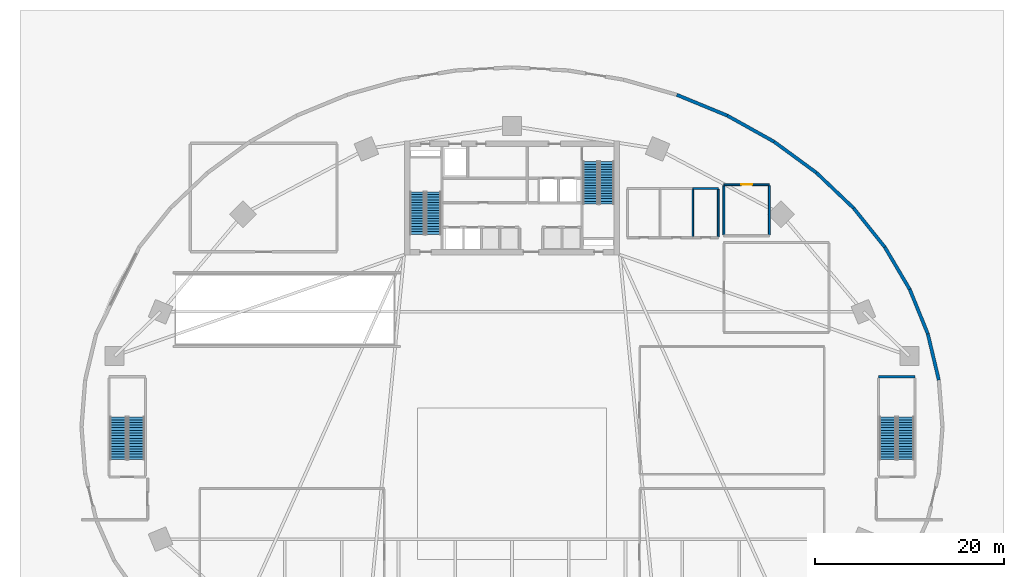
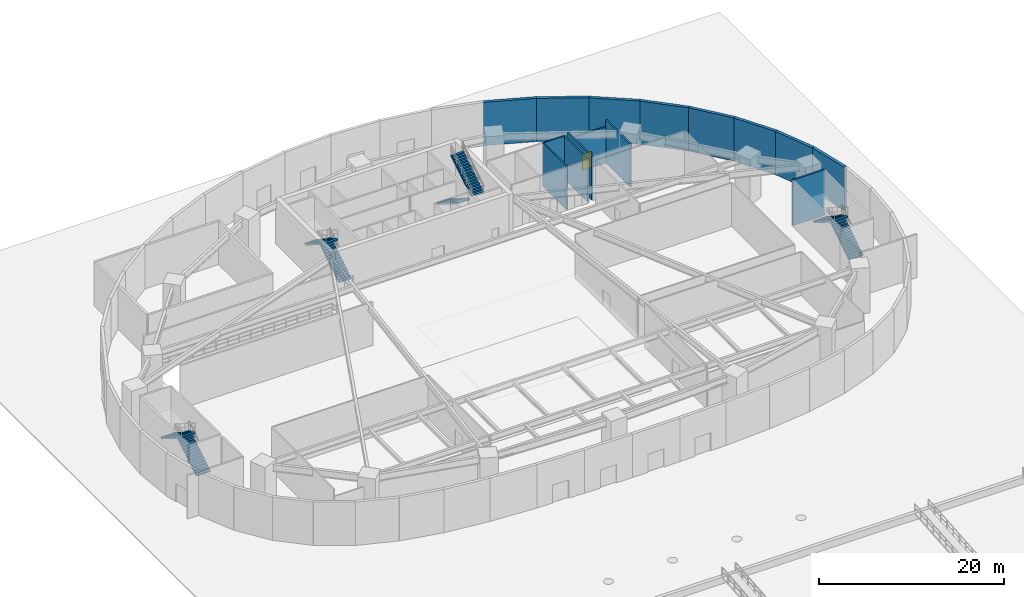
# One storey, part 6 of 14: 15 walls, 8 stair flights, 1 door, 1 opening, 4 elements without a shape of their own.
"""IFC4 building model written with IfcOpenShell, lengths in metres."""

import ifcopenshell
import ifcopenshell.guid

model = None  # the IFC model being written
_history = None  # IfcOwnerHistory: only IFC2X3 demands one
_inside = {}  # id of a spatial element -> (the spatial element, [elements in it])
_under = {}  # id of a project, library or spatial element -> (it, [spatial elements below it])
_declared = {}  # id of a project -> (the project, [libraries it declares])
_typed = {}  # id of a type object -> (the type object, [elements of that type])
_made_of = {}  # id of a material, layer set ... -> (it, [elements and type objects made of it])


def new_model(schema):
    """Start an empty IFC model of exactly this schema.

    Asked for "IFC4X3", IfcOpenShell would pick the latest addendum, in which some entities
    have other attributes; the version numbers below select the first issue.
    IFC2X3 requires an IfcOwnerHistory on every rooted entity: one is made here for all.
    """
    global model, _history
    if schema == "IFC4X3":
        model = ifcopenshell.file(schema_version=(4, 3, 0, 0))
    else:
        model = ifcopenshell.file(schema=schema)
    _inside.clear()
    _under.clear()
    _declared.clear()
    _typed.clear()
    _made_of.clear()
    _history = None
    if model.schema == "IFC2X3":
        org = make("IfcOrganization", Name="unknown")
        user = make(
            "IfcPersonAndOrganization",
            ThePerson=make("IfcPerson", FamilyName="unknown"),
            TheOrganization=org,
        )
        app = make(
            "IfcApplication",
            ApplicationDeveloper=org,
            Version="unknown",
            ApplicationFullName="unknown",
            ApplicationIdentifier="unknown",
        )
        _history = make(
            "IfcOwnerHistory",
            OwningUser=user,
            OwningApplication=app,
            ChangeAction="ADDED",
            CreationDate=0,
        )
    return model


def make(cls, **values):
    """One entity of the class cls with the attributes given. An attribute that is None is left unset."""
    return model.create_entity(
        cls, **{name: value for name, value in values.items() if value is not None}
    )


def rooted(cls, **values):
    """An entity with a GlobalId (a new one), such as an element, a storey or a relation."""
    return make(cls, GlobalId=ifcopenshell.guid.new(), OwnerHistory=_history, **values)


def si_unit(unit_type, name, prefix=None):
    """IfcSIUnit, for example si_unit("LENGTHUNIT", "METRE", prefix="MILLI")."""
    return make("IfcSIUnit", UnitType=unit_type, Prefix=prefix, Name=name)


def assignment(units):
    """IfcUnitAssignment: the units of a project."""
    return None if units is None else make("IfcUnitAssignment", Units=units)


def point(xyz):
    """IfcCartesianPoint."""
    return None if xyz is None else make("IfcCartesianPoint", Coordinates=xyz)


def direction(xyz):
    """IfcDirection."""
    return None if xyz is None else make("IfcDirection", DirectionRatios=xyz)


def frame(location, z_axis=None, x_axis=None):
    """IfcAxis2Placement3D, a coordinate frame: its origin and axes. An axis left out is left unset."""
    return make(
        "IfcAxis2Placement3D",
        Location=point(location),
        Axis=direction(z_axis),
        RefDirection=direction(x_axis),
    )


def frame_2d(location, x_axis=None):
    """IfcAxis2Placement2D, a coordinate frame in the plane: its origin and x axis."""
    return make(
        "IfcAxis2Placement2D", Location=point(location), RefDirection=direction(x_axis)
    )


def origin():
    """The frame at (0, 0, 0) with its axes left unset."""
    return frame((0.0, 0.0, 0.0))


def place(relative_to, where):
    """IfcLocalPlacement: puts the frame where relative to a parent placement (None: the world)."""
    return make(
        "IfcLocalPlacement", PlacementRelTo=relative_to, RelativePlacement=where
    )


def context(
    kind, dimensions, precision=None, world=None, true_north=None, identifier=None
):
    """IfcGeometricRepresentationContext, for example the 3D "Model" context."""
    return make(
        "IfcGeometricRepresentationContext",
        ContextIdentifier=identifier,
        ContextType=kind,
        CoordinateSpaceDimension=dimensions,
        Precision=precision,
        WorldCoordinateSystem=world,
        TrueNorth=true_north,
    )


def subcontext(parent, identifier, kind, view, scale=None):
    """IfcGeometricRepresentationSubContext, for example "Body" below "Model"."""
    return make(
        "IfcGeometricRepresentationSubContext",
        ContextIdentifier=identifier,
        ContextType=kind,
        ParentContext=parent,
        TargetScale=scale,
        TargetView=view,
    )


def project(units=None, contexts=None):
    """IfcProject with its units and contexts."""
    return rooted(
        "IfcProject",
        Name="project",
        RepresentationContexts=contexts,
        UnitsInContext=assignment(units),
    )


def spatial(cls, under=None, at=None, **own):
    """A site, building, storey or space (cls), placed at a placement, below another one or the project."""
    s = rooted(cls, ObjectPlacement=at, **own)
    if under is not None:
        _under.setdefault(under.id(), (under, []))[1].append(s)
    return s


def polyline(points):
    """IfcPolyline through the points."""
    return make("IfcPolyline", Points=[point(p) for p in points])


def profile(cls, at=None, kind="AREA", **sizes):
    """A parametric profile (cls). Its sizes go by their IFC names, for example OverallWidth=200.0."""
    return make(cls, ProfileType=kind, Position=at, **sizes)


def rectangle(**sizes):
    """IfcRectangleProfileDef."""
    return profile("IfcRectangleProfileDef", **sizes)


def outline(outer, holes=None, kind="AREA"):
    """IfcArbitraryClosedProfileDef: a profile drawn as a closed curve; with holes, ...WithVoids."""
    if holes is None:
        return make("IfcArbitraryClosedProfileDef", ProfileType=kind, OuterCurve=outer)
    return make(
        "IfcArbitraryProfileDefWithVoids",
        ProfileType=kind,
        OuterCurve=outer,
        InnerCurves=holes,
    )


def extrude(swept, where, along, depth):
    """IfcExtrudedAreaSolid: the profile swept, set in the frame where, extruded along a direction by depth."""
    return make(
        "IfcExtrudedAreaSolid",
        SweptArea=swept,
        Position=where,
        ExtrudedDirection=direction(along),
        Depth=depth,
    )


def shape(context_of_items, identifier, shape_type, items):
    """IfcShapeRepresentation: the items that make up one representation, for example the "Body"."""
    return make(
        "IfcShapeRepresentation",
        ContextOfItems=context_of_items,
        RepresentationIdentifier=identifier,
        RepresentationType=shape_type,
        Items=items,
    )


def source(mapping_origin, context_of_items, identifier, shape_type, items):
    """IfcRepresentationMap: a shape defined once, which mapped items show again and again."""
    return make(
        "IfcRepresentationMap",
        MappingOrigin=mapping_origin,
        MappedRepresentation=shape(context_of_items, identifier, shape_type, items),
    )


def transform(
    local_origin,
    x_axis=None,
    y_axis=None,
    z_axis=None,
    scale=None,
    scale2=None,
    scale3=None,
    uniform=True,
):
    """IfcCartesianTransformationOperator3D, or its non-uniform kind. x_axis, y_axis, z_axis: its Axis1, 2, 3."""
    if uniform:
        return make(
            "IfcCartesianTransformationOperator3D",
            Axis1=direction(x_axis),
            Axis2=direction(y_axis),
            LocalOrigin=point(local_origin),
            Scale=scale,
            Axis3=direction(z_axis),
        )
    return make(
        "IfcCartesianTransformationOperator3DnonUniform",
        Axis1=direction(x_axis),
        Axis2=direction(y_axis),
        LocalOrigin=point(local_origin),
        Scale=scale,
        Axis3=direction(z_axis),
        Scale2=scale2,
        Scale3=scale3,
    )


def mapped(mapping_source, mapping_target):
    """IfcMappedItem: shows the shape of a source again, moved by a transform."""
    return make(
        "IfcMappedItem", MappingSource=mapping_source, MappingTarget=mapping_target
    )


def material(Name=None, Category=None):
    """IfcMaterial."""
    return make("IfcMaterial", Name=Name, Category=Category)


def layer(
    of_material, thickness, ventilated=None, Name=None, Category=None, Priority=None
):
    """IfcMaterialLayer: one layer of a wall or slab, of a material (None: an air gap)."""
    return make(
        "IfcMaterialLayer",
        Material=of_material,
        LayerThickness=thickness,
        IsVentilated=ventilated,
        Name=Name,
        Category=Category,
        Priority=Priority,
    )


def layer_set(layers, Name=None):
    """IfcMaterialLayerSet."""
    return make("IfcMaterialLayerSet", MaterialLayers=layers, LayerSetName=Name)


def made_of(thing, what):
    """Note that an element or type object is made of a material, layer set ...; save() writes the relation."""
    if what is not None:
        _made_of.setdefault(what.id(), (what, []))[1].append(thing)
    return thing


def type_object(cls, material=None, **own):
    """A type object (cls), such as IfcWallType, which elements share."""
    return made_of(rooted(cls, **own), material)


def type_shapes(of_type, sources):
    """Give a type object the sources (RepresentationMaps) that its elements show as mapped items."""
    of_type.RepresentationMaps = sources


def element(
    cls,
    number,
    at=None,
    inside=None,
    cuts=None,
    type_object=None,
    material=None,
    context=None,
    identifier="Body",
    shape_type=None,
    held_by="IfcProductDefinitionShape",
    body=None,
    shapes=None,
    **own,
):
    """One element of the class cls, such as IfcWall. Its Tag is "e" and its number.

    at: its placement. inside: the storey or other place that contains it. cuts: it is an
    opening in that element (IfcRelVoidsElement). A single representation is given by context,
    identifier, shape_type and body (its items); several are given by shapes. held_by: the class
    of the entity that holds the representations. save() writes the other relations.
    """
    e = rooted(cls, Tag="e%d" % number, ObjectPlacement=at, **own)
    if body is not None:
        shapes = [shape(context, identifier, shape_type, body)]
    if shapes is not None:
        e.Representation = make(held_by, Representations=shapes)
    if inside is not None:
        _inside.setdefault(inside.id(), (inside, []))[1].append(e)
    if cuts is not None:
        rooted(
            "IfcRelVoidsElement", RelatingBuildingElement=cuts, RelatedOpeningElement=e
        )
    if type_object is not None:
        _typed.setdefault(type_object.id(), (type_object, []))[1].append(e)
    return made_of(e, material)


def fill(opening, filler):
    """IfcRelFillsElement: the door or window that sits in an opening."""
    return rooted(
        "IfcRelFillsElement",
        RelatingOpeningElement=opening,
        RelatedBuildingElement=filler,
    )


def aggregate(whole, parts):
    """IfcRelAggregates: a whole, such as a stair, and the parts it consists of."""
    return rooted("IfcRelAggregates", RelatingObject=whole, RelatedObjects=parts)


def save(model, path):
    """Write the relations noted so far, then the file.

    IfcRelAggregates (storeys below a building ...), IfcRelContainedInSpatialStructure (elements
    in a storey), IfcRelDefinesByType, IfcRelAssociatesMaterial and IfcRelDeclares: one each for
    every whole, place, type object, material and project.
    """
    for whole, parts in _under.values():
        aggregate(whole, parts)
    for where, things in _inside.values():
        rooted(
            "IfcRelContainedInSpatialStructure",
            RelatedElements=things,
            RelatingStructure=where,
        )
    for kind, things in _typed.values():
        rooted("IfcRelDefinesByType", RelatedObjects=things, RelatingType=kind)
    for what, things in _made_of.values():
        rooted("IfcRelAssociatesMaterial", RelatedObjects=things, RelatingMaterial=what)
    for by, libraries in _declared.values():
        rooted("IfcRelDeclares", RelatingContext=by, RelatedDefinitions=libraries)
    model.write(path)


model = new_model("IFC4")

# Units and contexts
model_context = context("Model", 3, precision=1e-05, world=origin(), true_north=direction((0.0, 1.0)))
body_context = subcontext(model_context, "Body", "Model", "MODEL_VIEW")
ifc_project = project(units=[si_unit("LENGTHUNIT", "METRE"), si_unit("AREAUNIT", "SQUARE_METRE"), si_unit("VOLUMEUNIT", "CUBIC_METRE"), si_unit("PLANEANGLEUNIT", "RADIAN"), si_unit("MASSUNIT", "GRAM", prefix="KILO")], contexts=[model_context])

# Site, building, storey
site_placement = place(None, origin())
site = spatial("IfcSite", under=ifc_project, at=site_placement, CompositionType="ELEMENT")
building_placement = place(site_placement, origin())
building = spatial("IfcBuilding", under=site, at=building_placement, Name="Breltana Convention Tower", CompositionType="ELEMENT")
storey_placement = place(building_placement, origin())
storey = spatial("IfcBuildingStorey", under=building, at=storey_placement, Name="L00", CompositionType="ELEMENT", Elevation=0.0)

# Walls
ifc_material_1 = material(Name="Limestone Buff Insulated Wall", Category="masonry")
ifc_layer_1 = layer(ifc_material_1, 0.35009765625, Name="Limestone Buff Insulated Wall")
ifc_layer_set_1 = layer_set([ifc_layer_1], Name="Limestone Buff Insulated Wall")
wall_type_1 = type_object("IfcWallType", Name="WL-EXT-POD-350", PredefinedType="SOLIDWALL", material=ifc_layer_set_1)
shared_shape_1 = source(origin(), body_context, "Body", "SweptSolid", [
    extrude(rectangle(XDim=5.011474609375, YDim=0.35009765625, at=frame_2d((2.505859375, 0.0))), origin(), (0.0, 0.0, 1.0), 5.699951171875),
])
wall_1_placement = place(storey_placement, frame((91.94970703125, 51.835205078125, 0.0), z_axis=(0.0, 0.0, 1.0), x_axis=(0.23164248061, -0.972800987446, 0.0)))
element("IfcWall", 1, at=wall_1_placement, inside=storey, type_object=wall_type_1, Name="L00 limestone facade wall 2", PredefinedType="SOLIDWALL", context=body_context, shape_type="MappedRepresentation", body=[
    mapped(shared_shape_1, transform((0.0, 0.0, 0.0), scale=1.0)),
])
shared_shape_2 = source(origin(), body_context, "Body", "SweptSolid", [
    extrude(rectangle(XDim=5.080810546875, YDim=0.35009765625, at=frame_2d((2.54052734375, 0.0))), origin(), (0.0, 0.0, 1.0), 5.699951171875),
])
wall_2_placement = place(storey_placement, frame((90.03662109375, 56.5419921875, 0.0), z_axis=(0.0, 0.0, 1.0), x_axis=(0.376538155573, -0.926401110425, 0.0)))
element("IfcWall", 2, at=wall_2_placement, inside=storey, type_object=wall_type_1, Name="L00 limestone facade wall 3", PredefinedType="SOLIDWALL", context=body_context, shape_type="MappedRepresentation", body=[
    mapped(shared_shape_2, transform((0.0, 0.0, 0.0), scale=1.0)),
])
shared_shape_3 = source(origin(), body_context, "Body", "SweptSolid", [
    extrude(rectangle(XDim=5.17724609375, YDim=0.35009765625, at=frame_2d((2.588623046875, 0.0))), origin(), (0.0, 0.0, 1.0), 5.699951171875),
])
wall_3_placement = place(storey_placement, frame((87.404296875, 61.0, 0.0), z_axis=(0.0, 0.0, 1.0), x_axis=(0.508449663637, -0.861091713784, 0.0)))
element("IfcWall", 3, at=wall_3_placement, inside=storey, type_object=wall_type_1, Name="L00 limestone facade wall 4", PredefinedType="SOLIDWALL", context=body_context, shape_type="MappedRepresentation", body=[
    mapped(shared_shape_3, transform((0.0, 0.0, 0.0), scale=1.0)),
])
shared_shape_4 = source(origin(), body_context, "Body", "SweptSolid", [
    extrude(rectangle(XDim=5.292724609375, YDim=0.35009765625, at=frame_2d((2.646484375, 0.0))), origin(), (0.0, 0.0, 1.0), 5.699951171875),
])
wall_4_placement = place(storey_placement, frame((84.09765625, 65.1328125, 0.0), z_axis=(0.0, 0.0, 1.0), x_axis=(0.624740048177, -0.780832806818, 0.0)))
element("IfcWall", 4, at=wall_4_placement, inside=storey, type_object=wall_type_1, Name="L00 limestone facade wall 5", PredefinedType="SOLIDWALL", context=body_context, shape_type="MappedRepresentation", body=[
    mapped(shared_shape_4, transform((0.0, 0.0, 0.0), scale=1.0)),
])
shared_shape_5 = source(origin(), body_context, "Body", "SweptSolid", [
    extrude(rectangle(XDim=5.419189453125, YDim=0.35009765625, at=frame_2d((2.70947265625, 0.0))), origin(), (0.0, 0.0, 1.0), 5.699951171875),
])
wall_5_placement = place(storey_placement, frame((80.17333984375, 68.8701171875, 0.0), z_axis=(0.0, 0.0, 1.0), x_axis=(0.724150787336, -0.689641673046, 0.0)))
element("IfcWall", 5, at=wall_5_placement, inside=storey, type_object=wall_type_1, Name="L00 limestone facade wall 6", PredefinedType="SOLIDWALL", context=body_context, shape_type="MappedRepresentation", body=[
    mapped(shared_shape_5, transform((0.0, 0.0, 0.0), scale=1.0)),
])
shared_shape_6 = source(origin(), body_context, "Body", "SweptSolid", [
    extrude(rectangle(XDim=5.546630859375, YDim=0.35009765625, at=frame_2d((2.7734375, 0.0))), origin(), (0.0, 0.0, 1.0), 5.699951171875),
])
wall_6_placement = place(storey_placement, frame((75.698486328125, 72.1474609375, 0.0), z_axis=(0.0, 0.0, 1.0), x_axis=(0.806767275837, -0.590869327887, 0.0)))
element("IfcWall", 6, at=wall_6_placement, inside=storey, type_object=wall_type_1, Name="L00 limestone facade wall 7", PredefinedType="SOLIDWALL", context=body_context, shape_type="MappedRepresentation", body=[
    mapped(shared_shape_6, transform((0.0, 0.0, 0.0), scale=1.0)),
])
shared_shape_7 = source(origin(), body_context, "Body", "SweptSolid", [
    extrude(rectangle(XDim=5.666748046875, YDim=0.35009765625, at=frame_2d((2.83349609375, 0.0))), origin(), (0.0, 0.0, 1.0), 5.699951171875),
])
wall_7_placement = place(storey_placement, frame((70.75, 74.908935546875, 0.0), z_axis=(0.0, 0.0, 1.0), x_axis=(0.873233089296, -0.487302751642, 0.0)))
element("IfcWall", 7, at=wall_7_placement, inside=storey, type_object=wall_type_1, Name="L00 limestone facade wall 8", PredefinedType="SOLIDWALL", context=body_context, shape_type="MappedRepresentation", body=[
    mapped(shared_shape_7, transform((0.0, 0.0, 0.0), scale=1.0)),
])
shared_shape_8 = source(origin(), body_context, "Body", "SweptSolid", [
    extrude(rectangle(XDim=5.77294921875, YDim=0.35009765625, at=frame_2d((2.886474609375, 0.0))), origin(), (0.0, 0.0, 1.0), 5.699951171875),
])
wall_8_placement = place(storey_placement, frame((65.412109375, 77.107421875, 0.0), z_axis=(0.0, 0.0, 1.0), x_axis=(0.924645688874, -0.380828504771, 0.0)))
element("IfcWall", 8, at=wall_8_placement, inside=storey, type_object=wall_type_1, Name="L00 limestone facade wall 9", PredefinedType="SOLIDWALL", context=body_context, shape_type="MappedRepresentation", body=[
    mapped(shared_shape_8, transform((0.0, 0.0, 0.0), scale=1.0)),
])
ifc_material_2 = material(Name="Concrete C40/50", Category="concrete")
ifc_layer_2 = layer(ifc_material_2, 0.219970703125, Name="Concrete C40/50")
ifc_layer_set_2 = layer_set([ifc_layer_2], Name="Concrete C40/50")
wall_type_2 = type_object("IfcWallType", Name="WL-SHAFT-220", PredefinedType="SOLIDWALL", material=ifc_layer_set_2)
shared_shape_9 = source(origin(), body_context, "Body", "SweptSolid", [
    extrude(rectangle(XDim=3.89013671875, YDim=0.219970703125, at=frame_2d((1.945068359375, 0.0))), origin(), (0.0, 0.0, 1.0), 6.0),
])
wall_9_placement = place(storey_placement, frame((86.719970703125, 47.31005859375, 0.0), z_axis=(0.0, 0.0, 1.0), x_axis=(1.0, 0.0, 0.0)))
element("IfcWall", 9, at=wall_9_placement, inside=storey, type_object=wall_type_2, Name="L00 interior partition W-L00-ST4-N", PredefinedType="SOLIDWALL", context=body_context, shape_type="MappedRepresentation", body=[
    mapped(shared_shape_9, transform((0.0, 0.0, 0.0), scale=1.0)),
])
ifc_material_3 = material(Name="Cement Board Wet-Area Partition")
ifc_layer_3 = layer(ifc_material_3, 0.175048828125, Name="Cement Board Wet-Area Partition")
ifc_layer_set_3 = layer_set([ifc_layer_3], Name="Cement Board Wet-Area Partition")
wall_type_3 = type_object("IfcWallType", Name="WL-WET-175", PredefinedType="PARTITIONING", material=ifc_layer_set_3)
shared_shape_10 = source(origin(), body_context, "Body", "SweptSolid", [
    extrude(rectangle(XDim=5.042724609375, YDim=0.175048828125, at=frame_2d((2.521484375, 0.0))), origin(), (0.0, 0.0, 1.0), 5.699951171875),
])
for number, where, z_axis, x_axis, name in (
    (10, (67.112060546875, 62.07861328125, 0.0), (0.0, 0.0, 1.0), (0.0, 1.0, 0.0), "L00 interior partition W-L00-WCF-E"),
    (11, (69.800048828125, 62.07861328125, 0.0), (0.0, 0.0, 1.0), (0.0, 1.0, 0.0), "L00 interior partition W-L00-WCA-E"),
):
    element("IfcWall", number, at=place(storey_placement, frame(where, z_axis=z_axis, x_axis=x_axis)), inside=storey, type_object=wall_type_3, Name=name, PredefinedType="PARTITIONING", context=body_context, shape_type="MappedRepresentation", body=[
        mapped(shared_shape_10, transform((0.0, 0.0, 0.0), scale=1.0)),
    ])
ifc_material_4 = material(Name="Moisture-Resistant Gypsum Chase Wall")
ifc_layer_4 = layer(ifc_material_4, 0.179931640625, Name="Moisture-Resistant Gypsum Chase Wall")
ifc_layer_set_4 = layer_set([ifc_layer_4], Name="Moisture-Resistant Gypsum Chase Wall")
wall_type_4 = type_object("IfcWallType", Name="WL-PLUMB-180", PredefinedType="PLUMBINGWALL", material=ifc_layer_set_4)
shared_shape_11 = source(origin(), body_context, "Body", "SweptSolid", [
    extrude(rectangle(XDim=2.68798828125, YDim=0.179931640625, at=frame_2d((1.343994140625, 0.0))), origin(), (0.0, 0.0, 1.0), 5.699951171875),
])
wall_10_placement = place(storey_placement, frame((67.112060546875, 67.199951171875, 0.0), z_axis=(0.0, 0.0, 1.0), x_axis=(1.0, 0.0, 0.0)))
element("IfcWall", 12, at=wall_10_placement, inside=storey, type_object=wall_type_4, Name="L00 interior partition W-L00-WCA-N", PredefinedType="PLUMBINGWALL", context=body_context, shape_type="MappedRepresentation", body=[
    mapped(shared_shape_11, transform((0.0, 0.0, 0.0), scale=1.0)),
])

# Wall, opening, door
ifc_material_5 = material(Name="Autoclaved Aerated Concrete Block", Category="concrete")
ifc_layer_5 = layer(ifc_material_5, 0.199951171875, Name="Autoclaved Aerated Concrete Block")
ifc_layer_set_5 = layer_set([ifc_layer_5], Name="Autoclaved Aerated Concrete Block")
wall_type_5 = type_object("IfcWallType", Name="WL-SHAFT-200", PredefinedType="SOLIDWALL", material=ifc_layer_set_5)
shared_shape_12 = source(origin(), body_context, "Body", "SweptSolid", [
    extrude(rectangle(XDim=4.800048828125, YDim=0.199951171875, at=frame_2d((2.39990234375, 0.0))), origin(), (0.0, 0.0, 1.0), 4.760986328125),
])
wall_11_placement = place(storey_placement, frame((70.39990234375, 67.60009765625, 0.0), z_axis=(0.0, 0.0, 1.0), x_axis=(1.0, 0.0, 0.0)))
wall_11 = element("IfcWall", 13, at=wall_11_placement, inside=storey, type_object=wall_type_5, Name="L00 interior partition W-L00-FCC-N", PredefinedType="SOLIDWALL", context=body_context, shape_type="MappedRepresentation", body=[
    mapped(shared_shape_12, transform((0.0, 0.0, 0.0), scale=1.0)),
])
opening_placement = place(wall_11_placement, frame((1.824951171875, 0.0, 0.0)))
opening = element("IfcOpeningElement", 14, at=opening_placement, cuts=wall_11, Name="Opening D-11", PredefinedType="OPENING", context=body_context, shape_type="SweptSolid", body=[
    extrude(rectangle(XDim=1.14990234375, YDim=2.14990234375, at=frame_2d((0.574951171875, 1.074951171875))), frame((0.0, 0.10986328125, 0.0), z_axis=(0.0, -1.0, 0.0), x_axis=(1.0, 0.0, 0.0)), (0.0, 0.0, 1.0), 0.219970703125),
])
ifc_material_6 = material(Name="Steel Stair Exit Door", Category="steel")
door_type = type_object("IfcDoorType", Name="DR-FD120-1150", OperationType="NOTDEFINED", PredefinedType="DOOR", material=ifc_material_6)
shared_shape_13 = source(origin(), body_context, "Body", "SweptSolid", [
    extrude(rectangle(XDim=1.14990234375, YDim=2.14990234375, at=frame_2d((0.574951171875, 1.074951171875))), frame((0.0, 0.02490234375, 0.0), z_axis=(0.0, -1.0, 0.0), x_axis=(1.0, 0.0, 0.0)), (0.0, 0.0, 1.0), 0.050048828125),
])
type_shapes(door_type, [shared_shape_13])
door_placement = place(opening_placement, origin())
door = element("IfcDoor", 15, at=door_placement, inside=storey, type_object=door_type, Name="L00 interior door D-L00-FCC", OperationType="SINGLE_SWING_LEFT", OverallHeight=2.14990234375, OverallWidth=1.14990234375, PredefinedType="DOOR", context=body_context, shape_type="MappedRepresentation", body=[
    mapped(shared_shape_13, transform((0.0, 0.0, 0.0), scale=1.0)),
])
fill(opening, door)

# Walls
shared_shape_14 = source(origin(), body_context, "Body", "SweptSolid", [
    extrude(rectangle(XDim=5.219970703125, YDim=0.199951171875, at=frame_2d((2.60986328125, 0.0))), origin(), (0.0, 0.0, 1.0), 5.699951171875),
])
for number, where, z_axis, x_axis, name in (
    (16, (70.39990234375, 62.2900390625, 0.0), (0.0, 0.0, 1.0), (0.0, 1.0, 0.0), "L00 interior partition W-L00-FCC-W"),
    (17, (75.199951171875, 62.2900390625, 0.0), (0.0, 0.0, 1.0), (0.0, 1.0, 0.0), "L00 interior partition W-L00-FCC-E"),
):
    element("IfcWall", number, at=place(storey_placement, frame(where, z_axis=z_axis, x_axis=x_axis)), inside=storey, type_object=wall_type_5, Name=name, PredefinedType="SOLIDWALL", context=body_context, shape_type="MappedRepresentation", body=[
        mapped(shared_shape_14, transform((0.0, 0.0, 0.0), scale=1.0)),
    ])

# Stair, stair flights
stair_type_1 = type_object("IfcStairType", Name="ST-DOG-1560-R176", PredefinedType="HALF_TURN_STAIR", material=ifc_material_2)
stair_1_placement = place(storey_placement, origin())
stair_1 = element("IfcStair", 18, at=stair_1_placement, inside=storey, type_object=stair_type_1, Name="L00 Protected Core Exit Stair ST-1", PredefinedType="HALF_TURN_STAIR")
stair_flight_type_1 = type_object("IfcStairFlightType", Name="STF-DOG-1560-N17-R176", PredefinedType="STRAIGHT", material=ifc_material_2)
stair_flight_1_placement = place(storey_placement, frame((39.68994140625, 62.360107421875, 0.0), z_axis=(0.0, 0.0, 1.0), x_axis=(0.0, 1.0, 0.0)))
stair_flight_1 = element("IfcStairFlight", 19, at=stair_flight_1_placement, type_object=stair_flight_type_1, Name="ST-1 flight 1", NumberOfRisers=17, NumberOfTreads=16, PredefinedType="STRAIGHT", RiserHeight=0.176470588, TreadLength=0.28, context=body_context, shape_type="SweptSolid", body=[
    extrude(outline(polyline([(0.0, 0.0), (0.0, 0.176513671875), (0.280029296875, 0.176513671875), (0.280029296875, 0.35302734375), (0.56005859375, 0.35302734375), (0.56005859375, 0.529296875), (0.840087890625, 0.529296875), (0.840087890625, 0.705810546875), (1.1201171875, 0.705810546875), (1.1201171875, 0.88232421875), (1.39990234375, 0.88232421875), (1.39990234375, 1.058837890625), (1.679931640625, 1.058837890625), (1.679931640625, 1.2353515625), (1.9599609375, 1.2353515625), (1.9599609375, 1.411865234375), (2.239990234375, 1.411865234375), (2.239990234375, 1.588134765625), (2.52001953125, 1.588134765625), (2.52001953125, 1.7646484375), (2.800048828125, 1.7646484375), (2.800048828125, 1.941162109375), (3.080078125, 1.941162109375), (3.080078125, 2.11767578125), (3.360107421875, 2.11767578125), (3.360107421875, 2.294189453125), (3.639892578125, 2.294189453125), (3.639892578125, 2.470703125), (3.919921875, 2.470703125), (3.919921875, 2.64697265625), (4.199951171875, 2.64697265625), (4.199951171875, 2.823486328125), (4.47998046875, 2.823486328125), (4.47998046875, 3.0), (4.47998046875, 2.646240234375), (0.28125, 0.0), (0.0, 0.0)])), frame((0.0, 0.780029296875, 0.0), z_axis=(0.0, -1.0, 0.0), x_axis=(1.0, 0.0, 0.0)), (0.0, 0.0, 1.0), 1.56005859375),
])
stair_flight_2_placement = place(storey_placement, frame((37.97998046875, 66.840087890625, 3.0), z_axis=(0.0, 0.0, 1.0), x_axis=(0.0, -1.0, 0.0)))
stair_flight_2 = element("IfcStairFlight", 20, at=stair_flight_2_placement, type_object=stair_flight_type_1, Name="ST-1 flight 2", NumberOfRisers=17, NumberOfTreads=16, PredefinedType="STRAIGHT", RiserHeight=0.176470588, TreadLength=0.28, context=body_context, shape_type="SweptSolid", body=[
    extrude(outline(polyline([(0.0, 0.0), (0.0, 0.176513671875), (0.280029296875, 0.176513671875), (0.280029296875, 0.35302734375), (0.56005859375, 0.35302734375), (0.56005859375, 0.529296875), (0.840087890625, 0.529296875), (0.840087890625, 0.705810546875), (1.1201171875, 0.705810546875), (1.1201171875, 0.88232421875), (1.39990234375, 0.88232421875), (1.39990234375, 1.058837890625), (1.679931640625, 1.058837890625), (1.679931640625, 1.2353515625), (1.9599609375, 1.2353515625), (1.9599609375, 1.411865234375), (2.239990234375, 1.411865234375), (2.239990234375, 1.588134765625), (2.52001953125, 1.588134765625), (2.52001953125, 1.7646484375), (2.800048828125, 1.7646484375), (2.800048828125, 1.941162109375), (3.080078125, 1.941162109375), (3.080078125, 2.11767578125), (3.360107421875, 2.11767578125), (3.360107421875, 2.294189453125), (3.639892578125, 2.294189453125), (3.639892578125, 2.470703125), (3.919921875, 2.470703125), (3.919921875, 2.64697265625), (4.199951171875, 2.64697265625), (4.199951171875, 2.823486328125), (4.47998046875, 2.823486328125), (4.47998046875, 3.0), (4.47998046875, 2.646240234375), (0.28125, 0.0), (0.0, 0.0)])), frame((0.0, 0.780029296875, 0.0), z_axis=(0.0, -1.0, 0.0), x_axis=(1.0, 0.0, 0.0)), (0.0, 0.0, 1.0), 1.56005859375),
])
aggregate(stair_1, [stair_flight_1, stair_flight_2])

stair_2_placement = place(storey_placement, origin())
stair_2 = element("IfcStair", 21, at=stair_2_placement, inside=storey, type_object=stair_type_1, Name="L00 Protected Core Exit Stair ST-2", PredefinedType="HALF_TURN_STAIR")
stair_flight_3_placement = place(storey_placement, frame((56.31005859375, 70.0400390625, 0.0), z_axis=(0.0, 0.0, 1.0), x_axis=(0.0, -1.0, 0.0)))
stair_flight_3 = element("IfcStairFlight", 22, at=stair_flight_3_placement, type_object=stair_flight_type_1, Name="ST-2 flight 1", NumberOfRisers=17, NumberOfTreads=16, PredefinedType="STRAIGHT", RiserHeight=0.176470588, TreadLength=0.28, context=body_context, shape_type="SweptSolid", body=[
    extrude(outline(polyline([(0.0, 0.0), (0.0, 0.176513671875), (0.280029296875, 0.176513671875), (0.280029296875, 0.35302734375), (0.56005859375, 0.35302734375), (0.56005859375, 0.529296875), (0.840087890625, 0.529296875), (0.840087890625, 0.705810546875), (1.1201171875, 0.705810546875), (1.1201171875, 0.88232421875), (1.39990234375, 0.88232421875), (1.39990234375, 1.058837890625), (1.679931640625, 1.058837890625), (1.679931640625, 1.2353515625), (1.9599609375, 1.2353515625), (1.9599609375, 1.411865234375), (2.239990234375, 1.411865234375), (2.239990234375, 1.588134765625), (2.52001953125, 1.588134765625), (2.52001953125, 1.7646484375), (2.800048828125, 1.7646484375), (2.800048828125, 1.941162109375), (3.080078125, 1.941162109375), (3.080078125, 2.11767578125), (3.360107421875, 2.11767578125), (3.360107421875, 2.294189453125), (3.639892578125, 2.294189453125), (3.639892578125, 2.470703125), (3.919921875, 2.470703125), (3.919921875, 2.64697265625), (4.199951171875, 2.64697265625), (4.199951171875, 2.823486328125), (4.47998046875, 2.823486328125), (4.47998046875, 3.0), (4.47998046875, 2.646240234375), (0.28125, 0.0), (0.0, 0.0)])), frame((0.0, 0.780029296875, 0.0), z_axis=(0.0, -1.0, 0.0), x_axis=(1.0, 0.0, 0.0)), (0.0, 0.0, 1.0), 1.56005859375),
])
stair_flight_4_placement = place(storey_placement, frame((58.02001953125, 65.56005859375, 3.0), z_axis=(0.0, 0.0, 1.0), x_axis=(0.0, 1.0, 0.0)))
stair_flight_4 = element("IfcStairFlight", 23, at=stair_flight_4_placement, type_object=stair_flight_type_1, Name="ST-2 flight 2", NumberOfRisers=17, NumberOfTreads=16, PredefinedType="STRAIGHT", RiserHeight=0.176470588, TreadLength=0.28, context=body_context, shape_type="SweptSolid", body=[
    extrude(outline(polyline([(0.0, 0.0), (0.0, 0.176513671875), (0.280029296875, 0.176513671875), (0.280029296875, 0.35302734375), (0.56005859375, 0.35302734375), (0.56005859375, 0.529296875), (0.840087890625, 0.529296875), (0.840087890625, 0.705810546875), (1.1201171875, 0.705810546875), (1.1201171875, 0.88232421875), (1.39990234375, 0.88232421875), (1.39990234375, 1.058837890625), (1.679931640625, 1.058837890625), (1.679931640625, 1.2353515625), (1.9599609375, 1.2353515625), (1.9599609375, 1.411865234375), (2.239990234375, 1.411865234375), (2.239990234375, 1.588134765625), (2.52001953125, 1.588134765625), (2.52001953125, 1.7646484375), (2.800048828125, 1.7646484375), (2.800048828125, 1.941162109375), (3.080078125, 1.941162109375), (3.080078125, 2.11767578125), (3.360107421875, 2.11767578125), (3.360107421875, 2.294189453125), (3.639892578125, 2.294189453125), (3.639892578125, 2.470703125), (3.919921875, 2.470703125), (3.919921875, 2.64697265625), (4.199951171875, 2.64697265625), (4.199951171875, 2.823486328125), (4.47998046875, 2.823486328125), (4.47998046875, 3.0), (4.47998046875, 2.646240234375), (0.28125, 0.0), (0.0, 0.0)])), frame((0.0, 0.780029296875, 0.0), z_axis=(0.0, -1.0, 0.0), x_axis=(1.0, 0.0, 0.0)), (0.0, 0.0, 1.0), 1.56005859375),
])
aggregate(stair_2, [stair_flight_3, stair_flight_4])

stair_type_2 = type_object("IfcStairType", Name="ST-DOG-1760-R176", PredefinedType="HALF_TURN_STAIR", material=ifc_material_2)
stair_3_placement = place(storey_placement, origin())
stair_3 = element("IfcStair", 24, at=stair_3_placement, inside=storey, type_object=stair_type_2, Name="L00 Protected Podium Exit Stair ST-3", PredefinedType="HALF_TURN_STAIR")
stair_flight_type_2 = type_object("IfcStairFlightType", Name="STF-DOG-1760-N17-R176", PredefinedType="STRAIGHT", material=ifc_material_2)
stair_flight_5_placement = place(storey_placement, frame((8.2900390625, 38.56005859375, 0.0), z_axis=(0.0, 0.0, 1.0), x_axis=(0.0, 1.0, 0.0)))
stair_flight_5 = element("IfcStairFlight", 25, at=stair_flight_5_placement, type_object=stair_flight_type_2, Name="ST-3 flight 1", NumberOfRisers=17, NumberOfTreads=16, PredefinedType="STRAIGHT", RiserHeight=0.176470588, TreadLength=0.28, context=body_context, shape_type="SweptSolid", body=[
    extrude(outline(polyline([(0.0, 0.0), (0.0, 0.176513671875), (0.280029296875, 0.176513671875), (0.280029296875, 0.35302734375), (0.56005859375, 0.35302734375), (0.56005859375, 0.529296875), (0.840087890625, 0.529296875), (0.840087890625, 0.705810546875), (1.1201171875, 0.705810546875), (1.1201171875, 0.88232421875), (1.39990234375, 0.88232421875), (1.39990234375, 1.058837890625), (1.679931640625, 1.058837890625), (1.679931640625, 1.2353515625), (1.9599609375, 1.2353515625), (1.9599609375, 1.411865234375), (2.239990234375, 1.411865234375), (2.239990234375, 1.588134765625), (2.52001953125, 1.588134765625), (2.52001953125, 1.7646484375), (2.800048828125, 1.7646484375), (2.800048828125, 1.941162109375), (3.080078125, 1.941162109375), (3.080078125, 2.11767578125), (3.360107421875, 2.11767578125), (3.360107421875, 2.294189453125), (3.639892578125, 2.294189453125), (3.639892578125, 2.470703125), (3.919921875, 2.470703125), (3.919921875, 2.64697265625), (4.199951171875, 2.64697265625), (4.199951171875, 2.823486328125), (4.47998046875, 2.823486328125), (4.47998046875, 3.0), (4.47998046875, 2.646240234375), (0.28125, 0.0), (0.0, 0.0)])), frame((0.0, 0.8798828125, 0.0), z_axis=(0.0, -1.0, 0.0), x_axis=(1.0, 0.0, 0.0)), (0.0, 0.0, 1.0), 1.760009765625),
])
stair_flight_6_placement = place(storey_placement, frame((6.3798828125, 43.0400390625, 3.0), z_axis=(0.0, 0.0, 1.0), x_axis=(0.0, -1.0, 0.0)))
stair_flight_6 = element("IfcStairFlight", 26, at=stair_flight_6_placement, type_object=stair_flight_type_2, Name="ST-3 flight 2", NumberOfRisers=17, NumberOfTreads=16, PredefinedType="STRAIGHT", RiserHeight=0.176470588, TreadLength=0.28, context=body_context, shape_type="SweptSolid", body=[
    extrude(outline(polyline([(0.0, 0.0), (0.0, 0.176513671875), (0.280029296875, 0.176513671875), (0.280029296875, 0.35302734375), (0.56005859375, 0.35302734375), (0.56005859375, 0.529296875), (0.840087890625, 0.529296875), (0.840087890625, 0.705810546875), (1.1201171875, 0.705810546875), (1.1201171875, 0.88232421875), (1.39990234375, 0.88232421875), (1.39990234375, 1.058837890625), (1.679931640625, 1.058837890625), (1.679931640625, 1.2353515625), (1.9599609375, 1.2353515625), (1.9599609375, 1.411865234375), (2.239990234375, 1.411865234375), (2.239990234375, 1.588134765625), (2.52001953125, 1.588134765625), (2.52001953125, 1.7646484375), (2.800048828125, 1.7646484375), (2.800048828125, 1.941162109375), (3.080078125, 1.941162109375), (3.080078125, 2.11767578125), (3.360107421875, 2.11767578125), (3.360107421875, 2.294189453125), (3.639892578125, 2.294189453125), (3.639892578125, 2.470703125), (3.919921875, 2.470703125), (3.919921875, 2.64697265625), (4.199951171875, 2.64697265625), (4.199951171875, 2.823486328125), (4.47998046875, 2.823486328125), (4.47998046875, 3.0), (4.47998046875, 2.646240234375), (0.28125, 0.0), (0.0, 0.0)])), frame((0.0, 0.8798828125, 0.0), z_axis=(0.0, -1.0, 0.0), x_axis=(1.0, 0.0, 0.0)), (0.0, 0.0, 1.0), 1.760009765625),
])
aggregate(stair_3, [stair_flight_5, stair_flight_6])

stair_4_placement = place(storey_placement, origin())
stair_4 = element("IfcStair", 27, at=stair_4_placement, inside=storey, type_object=stair_type_2, Name="L00 Protected Podium Exit Stair ST-4", PredefinedType="HALF_TURN_STAIR")
stair_flight_7_placement = place(storey_placement, frame((89.6201171875, 38.56005859375, 0.0), z_axis=(0.0, 0.0, 1.0), x_axis=(0.0, 1.0, 0.0)))
stair_flight_7 = element("IfcStairFlight", 28, at=stair_flight_7_placement, type_object=stair_flight_type_2, Name="ST-4 flight 1", NumberOfRisers=17, NumberOfTreads=16, PredefinedType="STRAIGHT", RiserHeight=0.176470588, TreadLength=0.28, context=body_context, shape_type="SweptSolid", body=[
    extrude(outline(polyline([(0.0, 0.0), (0.0, 0.176513671875), (0.280029296875, 0.176513671875), (0.280029296875, 0.35302734375), (0.56005859375, 0.35302734375), (0.56005859375, 0.529296875), (0.840087890625, 0.529296875), (0.840087890625, 0.705810546875), (1.1201171875, 0.705810546875), (1.1201171875, 0.88232421875), (1.39990234375, 0.88232421875), (1.39990234375, 1.058837890625), (1.679931640625, 1.058837890625), (1.679931640625, 1.2353515625), (1.9599609375, 1.2353515625), (1.9599609375, 1.411865234375), (2.239990234375, 1.411865234375), (2.239990234375, 1.588134765625), (2.52001953125, 1.588134765625), (2.52001953125, 1.7646484375), (2.800048828125, 1.7646484375), (2.800048828125, 1.941162109375), (3.080078125, 1.941162109375), (3.080078125, 2.11767578125), (3.360107421875, 2.11767578125), (3.360107421875, 2.294189453125), (3.639892578125, 2.294189453125), (3.639892578125, 2.470703125), (3.919921875, 2.470703125), (3.919921875, 2.64697265625), (4.199951171875, 2.64697265625), (4.199951171875, 2.823486328125), (4.47998046875, 2.823486328125), (4.47998046875, 3.0), (4.47998046875, 2.646240234375), (0.28125, 0.0), (0.0, 0.0)])), frame((0.0, 0.8798828125, 0.0), z_axis=(0.0, -1.0, 0.0), x_axis=(1.0, 0.0, 0.0)), (0.0, 0.0, 1.0), 1.760009765625),
])
stair_flight_8_placement = place(storey_placement, frame((87.7099609375, 43.0400390625, 3.0), z_axis=(0.0, 0.0, 1.0), x_axis=(0.0, -1.0, 0.0)))
stair_flight_8 = element("IfcStairFlight", 29, at=stair_flight_8_placement, type_object=stair_flight_type_2, Name="ST-4 flight 2", NumberOfRisers=17, NumberOfTreads=16, PredefinedType="STRAIGHT", RiserHeight=0.176470588, TreadLength=0.28, context=body_context, shape_type="SweptSolid", body=[
    extrude(outline(polyline([(0.0, 0.0), (0.0, 0.176513671875), (0.280029296875, 0.176513671875), (0.280029296875, 0.35302734375), (0.56005859375, 0.35302734375), (0.56005859375, 0.529296875), (0.840087890625, 0.529296875), (0.840087890625, 0.705810546875), (1.1201171875, 0.705810546875), (1.1201171875, 0.88232421875), (1.39990234375, 0.88232421875), (1.39990234375, 1.058837890625), (1.679931640625, 1.058837890625), (1.679931640625, 1.2353515625), (1.9599609375, 1.2353515625), (1.9599609375, 1.411865234375), (2.239990234375, 1.411865234375), (2.239990234375, 1.588134765625), (2.52001953125, 1.588134765625), (2.52001953125, 1.7646484375), (2.800048828125, 1.7646484375), (2.800048828125, 1.941162109375), (3.080078125, 1.941162109375), (3.080078125, 2.11767578125), (3.360107421875, 2.11767578125), (3.360107421875, 2.294189453125), (3.639892578125, 2.294189453125), (3.639892578125, 2.470703125), (3.919921875, 2.470703125), (3.919921875, 2.64697265625), (4.199951171875, 2.64697265625), (4.199951171875, 2.823486328125), (4.47998046875, 2.823486328125), (4.47998046875, 3.0), (4.47998046875, 2.646240234375), (0.28125, 0.0), (0.0, 0.0)])), frame((0.0, 0.8798828125, 0.0), z_axis=(0.0, -1.0, 0.0), x_axis=(1.0, 0.0, 0.0)), (0.0, 0.0, 1.0), 1.760009765625),
])
aggregate(stair_4, [stair_flight_7, stair_flight_8])

save(model, "model.ifc")
